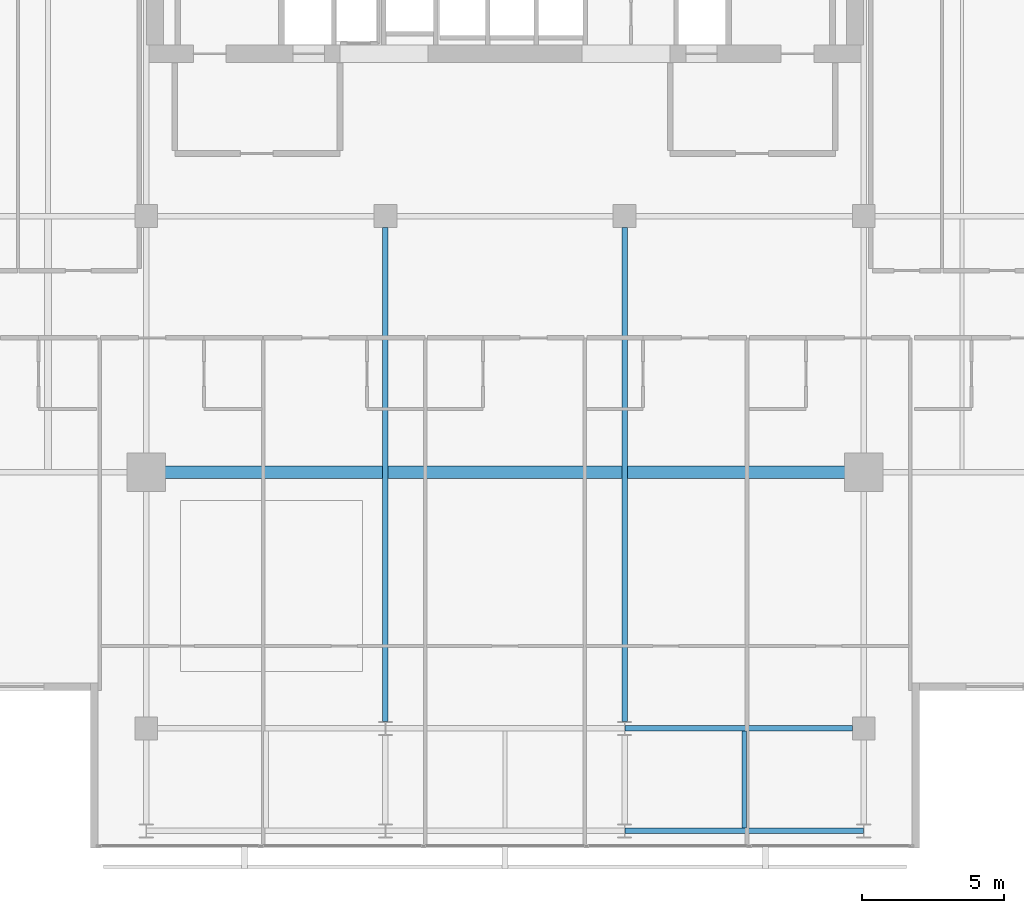
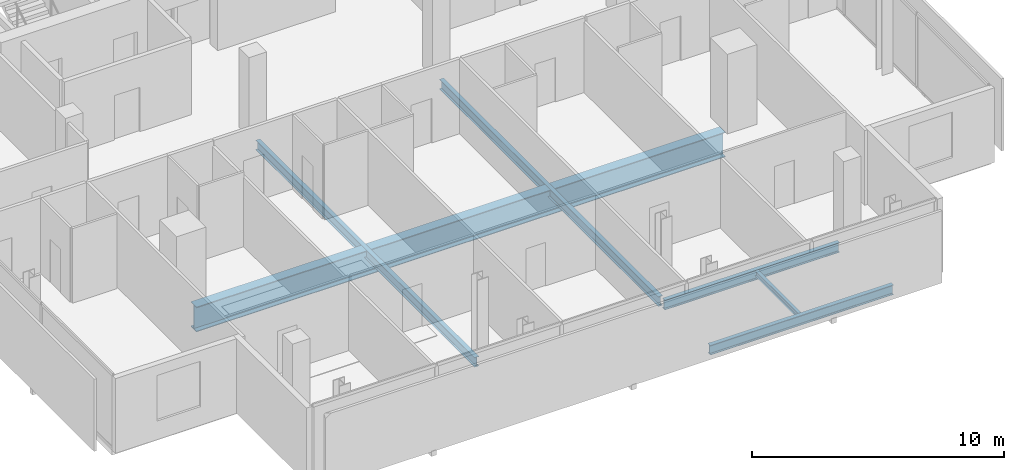
# One storey, part 6 of 24: 6 beams.
"""IFC4 building model written with IfcOpenShell, lengths in metres."""

from ifc_helpers import new_model, si_unit, direction, frame, origin, origin_2d, place, context, subcontext, project, spatial, i_section, extrude, material, material_profile, profile_set, type_object, element, save


model = new_model("IFC4")

# Units and contexts
model_context = context("Model", 3, precision=1e-05, world=origin(), true_north=direction((0.0, 1.0)))
body_context = subcontext(model_context, "Body", "Model", "MODEL_VIEW")
ifc_project = project(units=[si_unit("LENGTHUNIT", "METRE"), si_unit("AREAUNIT", "SQUARE_METRE"), si_unit("VOLUMEUNIT", "CUBIC_METRE"), si_unit("PLANEANGLEUNIT", "RADIAN"), si_unit("MASSUNIT", "GRAM", prefix="KILO")], contexts=[model_context])

# Site, building, storey
site_placement = place(None, origin())
site = spatial("IfcSite", under=ifc_project, at=site_placement, CompositionType="ELEMENT")
building_placement = place(site_placement, origin())
building = spatial("IfcBuilding", under=site, at=building_placement, Name="Maruvema Waterfront Hotel and Observation Tower", CompositionType="ELEMENT")
storey_placement = place(building_placement, frame((0.0, 0.0, 333.550048828125)))
storey = spatial("IfcBuildingStorey", under=building, at=storey_placement, Name="L82", CompositionType="ELEMENT", Elevation=333.550048828125)

# Beams
ifc_material_1 = material(Name="Steel ASTM A572 Grade 50", Category="steel")
ifc_material_profile_1 = material_profile(ifc_material_1, i_section(OverallWidth=0.194091796875, OverallDepth=0.468994140625, WebThickness=0.0126953125, FlangeThickness=0.0205078125, FilletRadius=0.014892578125, at=origin_2d()), Name="W460x106.0")
ifc_profile_set_1 = profile_set([ifc_material_profile_1], Name="Steel ASTM A572 Grade 50")
beam_type_1 = type_object("IfcBeamType", Name="Primary Floor Girder W460x106.0", PredefinedType="BEAM", material=ifc_profile_set_1)
beam_1_placement = place(storey_placement, frame((42.010986328125, 14.39990234375, -0.474609375), z_axis=(1.0, 0.0, 0.0), x_axis=(0.0, 1.0, 0.0)))
element("IfcBeam", 1, at=beam_1_placement, inside=storey, type_object=beam_type_1, Name="L82 Floor Girder EW-03", PredefinedType="BEAM", context=body_context, shape_type="SweptSolid", body=[
    extrude(i_section(OverallWidth=0.194091796875, OverallDepth=0.468994140625, WebThickness=0.0126953125, FlangeThickness=0.0205078125, FilletRadius=0.014892578125, at=origin_2d()), origin(), (0.0, 0.0, 1.0), 8.3779296875),
])
beam_2_placement = place(storey_placement, frame((42.010986328125, 18.0, -0.474609375), z_axis=(1.0, 0.0, 0.0), x_axis=(0.0, 1.0, 0.0)))
element("IfcBeam", 2, at=beam_2_placement, inside=storey, type_object=beam_type_1, Name="L82 Floor Girder EW-06", PredefinedType="BEAM", context=body_context, shape_type="SweptSolid", body=[
    extrude(i_section(OverallWidth=0.194091796875, OverallDepth=0.468994140625, WebThickness=0.0126953125, FlangeThickness=0.0205078125, FilletRadius=0.014892578125, at=origin_2d()), origin(), (0.0, 0.0, 1.0), 7.989013671875),
])
for number, where, z_axis, x_axis, name in (
    (3, (33.60009765625, 18.25, -0.474609375), (0.0, 1.0, 0.0), (-1.0, 0.0, 0.0), "L82 Floor Girder NS-08"),
    (4, (42.0, 18.25, -0.474609375), (0.0, 1.0, 0.0), (-1.0, 0.0, 0.0), "L82 Floor Girder NS-10"),
):
    element("IfcBeam", number, at=place(storey_placement, frame(where, z_axis=z_axis, x_axis=x_axis)), inside=storey, type_object=beam_type_1, Name=name, PredefinedType="BEAM", context=body_context, shape_type="SweptSolid", body=[
        extrude(i_section(OverallWidth=0.194091796875, OverallDepth=0.468994140625, WebThickness=0.0126953125, FlangeThickness=0.0205078125, FilletRadius=0.014892578125, at=origin_2d()), origin(), (0.0, 0.0, 1.0), 17.35009765625),
    ])
ifc_material_2 = material(Name="Steel ASTM A572 Grade 50", Category="steel")
ifc_material_profile_2 = material_profile(ifc_material_2, i_section(OverallWidth=0.14599609375, OverallDepth=0.258056640625, WebThickness=0.006103515625, FlangeThickness=0.009033203125, FilletRadius=0.012939453125, at=origin_2d()), Name="W250x32.7")
ifc_profile_set_2 = profile_set([ifc_material_profile_2], Name="Steel ASTM A572 Grade 50")
beam_type_2 = type_object("IfcBeamType", Name="Secondary Floor Joist W250x32.7", PredefinedType="JOIST", material=ifc_profile_set_2)
beam_3_placement = place(storey_placement, frame((46.199951171875, 14.4970703125, -0.369140625), z_axis=(0.0, 1.0, 0.0), x_axis=(-1.0, 0.0, 0.0)))
element("IfcBeam", 5, at=beam_3_placement, inside=storey, type_object=beam_type_2, Name="L82 Secondary Floor Joist JS-05", PredefinedType="JOIST", context=body_context, shape_type="SweptSolid", body=[
    extrude(i_section(OverallWidth=0.14599609375, OverallDepth=0.258056640625, WebThickness=0.006103515625, FlangeThickness=0.009033203125, FilletRadius=0.012939453125, at=origin_2d()), origin(), (0.0, 0.0, 1.0), 3.406005859375),
])
ifc_material_3 = material(Name="Steel ABNT NBR 7007 AR 415 (ASTM A572 Grade 50)", Category="steel")
ifc_material_profile_3 = material_profile(ifc_material_3, i_section(OverallWidth=0.449951171875, OverallDepth=1.199951171875, WebThickness=0.01904296875, FlangeThickness=0.031982421875, at=origin_2d()), Name="VS1200x366")
ifc_profile_set_3 = profile_set([ifc_material_profile_3], Name="Steel ABNT NBR 7007 AR 415 (ASTM A572 Grade 50)")
beam_type_3 = type_object("IfcBeamType", Name="Upper Setback Transfer Girder VS1200x366", PredefinedType="USERDEFINED", material=ifc_profile_set_3)
beam_4_placement = place(storey_placement, frame((25.699951171875, 27.0, -0.840087890625), z_axis=(1.0, 0.0, 0.0), x_axis=(0.0, 1.0, 0.0)))
element("IfcBeam", 6, at=beam_4_placement, inside=storey, type_object=beam_type_3, Name="L82 Floor Girder EW-08", ObjectType="TRANSFER GIRDER", PredefinedType="USERDEFINED", context=body_context, shape_type="SweptSolid", body=[
    extrude(i_section(OverallWidth=0.449951171875, OverallDepth=1.199951171875, WebThickness=0.01904296875, FlangeThickness=0.031982421875, at=origin_2d()), origin(), (0.0, 0.0, 1.0), 24.199951171875),
])

save(model, "model.ifc")
